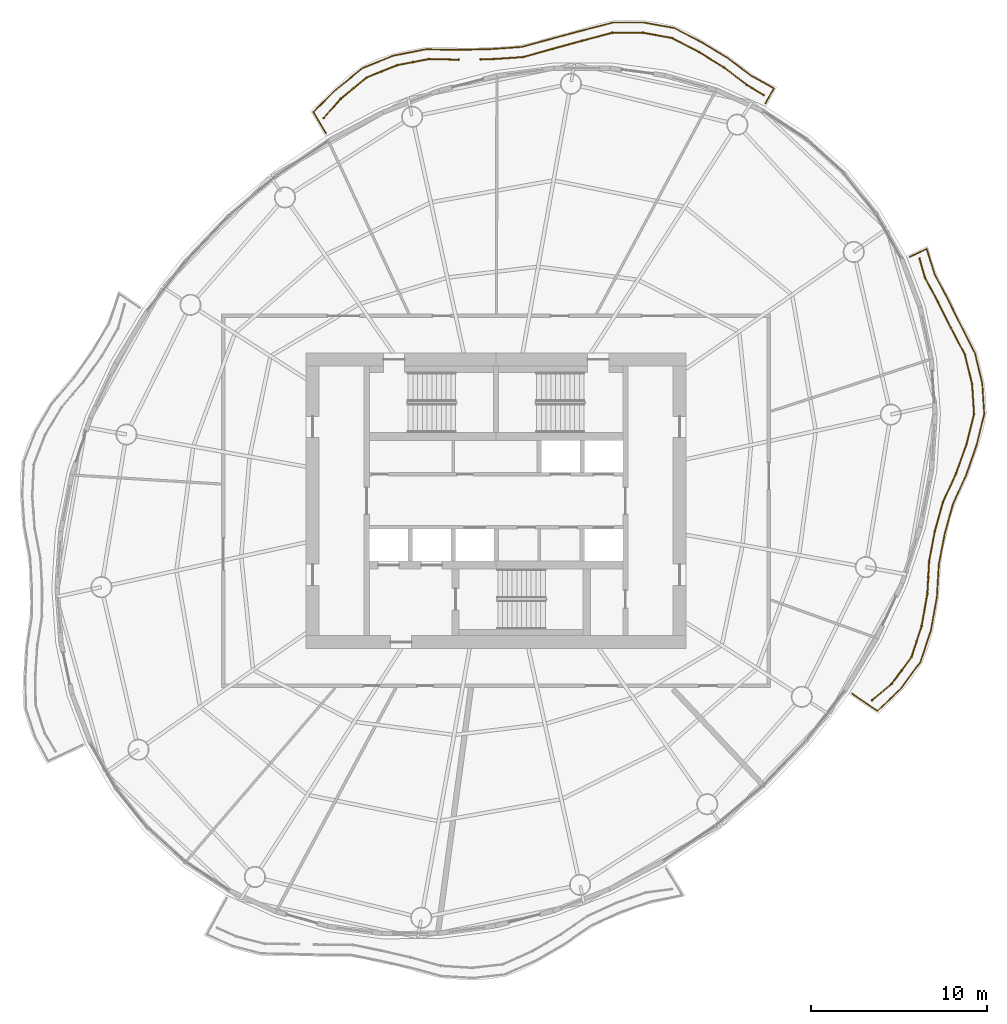
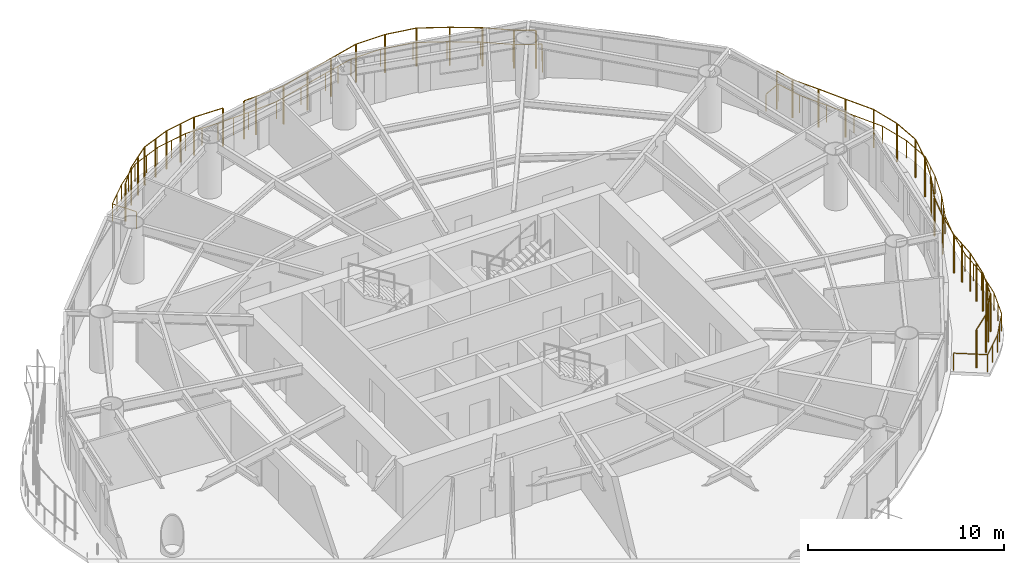
# One storey, part 14 of 14: 5 railings.
"""IFC4 building model written with IfcOpenShell, lengths in metres."""

from ifc_helpers import new_model, si_unit, direction, frame, origin, origin_2d, place, context, subcontext, project, spatial, circle, extrude, material, type_object, element, save


model = new_model("IFC4")

# Units and contexts
model_context = context("Model", 3, precision=1e-05, world=origin(), true_north=direction((0.0, 1.0)))
body_context = subcontext(model_context, "Body", "Model", "MODEL_VIEW")
ifc_project = project(units=[si_unit("LENGTHUNIT", "METRE"), si_unit("AREAUNIT", "SQUARE_METRE"), si_unit("VOLUMEUNIT", "CUBIC_METRE"), si_unit("PLANEANGLEUNIT", "RADIAN"), si_unit("MASSUNIT", "GRAM", prefix="KILO")], contexts=[model_context])

# Site, building, storey
site_placement = place(None, origin())
site = spatial("IfcSite", under=ifc_project, at=site_placement, CompositionType="ELEMENT")
building_placement = place(site_placement, origin())
building = spatial("IfcBuilding", under=site, at=building_placement, Name="Vermilion Reach Broadcast Tower", CompositionType="ELEMENT")
storey_placement = place(building_placement, frame((0.0, 0.0, 206.5)))
storey = spatial("IfcBuildingStorey", under=building, at=storey_placement, Name="L50", CompositionType="ELEMENT", Elevation=206.5)

# Railings
ifc_material_1 = material(Name="Terracotta baguette", Category="masonry")
railing_type_1 = type_object("IfcRailingType", Name="BAGUETTE SCREEN", PredefinedType="USERDEFINED", material=ifc_material_1)
railing_1_placement = place(storey_placement, frame((9.1943359375, 23.058349609375, 0.0)))
element("IfcRailing", 1, at=railing_1_placement, inside=storey, type_object=railing_type_1, Name="Baguette screen L50 group 1 part 1", ObjectType="BAGUETTE SCREEN", PredefinedType="USERDEFINED", context=body_context, shape_type="SweptSolid", body=[
    extrude(circle(Radius=0.030029296875, at=origin_2d()), frame((0.0, 0.0, 2.369873046875), z_axis=(-0.857901093399, 0.513814863492, 0.0), x_axis=(-0.513814863492, -0.857901093399, 0.0)), (0.0, 0.0, 1.0), 1.107666015625),
    extrude(circle(Radius=0.030029296875, at=origin_2d()), frame((-0.9501953125, 0.569091796875, 2.369873046875), z_axis=(-0.794259932649, 0.607578109702, 0.0), x_axis=(-0.607578109702, -0.794259932649, 0.0)), (0.0, 0.0, 1.0), 1.628173828125),
    extrude(circle(Radius=0.030029296875, at=origin_2d()), frame((-2.243408203125, 1.558349609375, 2.369873046875), z_axis=(-0.851753010492, 0.523943517107, 0.0), x_axis=(-0.523943517107, -0.851753010492, 0.0)), (0.0, 0.0, 1.0), 1.681640625),
    extrude(circle(Radius=0.030029296875, at=origin_2d()), frame((-3.67578125, 2.439453125, 2.369873046875), z_axis=(-0.886250779883, 0.463205737397, 0.0), x_axis=(-0.463205737397, -0.886250779883, 0.0)), (0.0, 0.0, 1.0), 1.708251953125),
    extrude(circle(Radius=0.030029296875, at=origin_2d()), frame((-5.189697265625, 3.230712890625, 2.369873046875), z_axis=(-0.983808256824, 0.17922419983, 0.0), x_axis=(-0.17922419983, -0.983808256824, 0.0)), (0.0, 0.0, 1.0), 1.71240234375),
    extrude(circle(Radius=0.030029296875, at=origin_2d()), frame((-6.874267578125, 3.53759765625, 2.369873046875), z_axis=(-0.999997704745, -0.002142546146, 0.0), x_axis=(0.002142546146, -0.999997704745, 0.0)), (0.0, 0.0, 1.0), 1.709228515625),
    extrude(circle(Radius=0.030029296875, at=origin_2d()), frame((-8.58349609375, 3.533935546875, 2.369873046875), z_axis=(-0.966678487793, -0.255993557024, 0.0), x_axis=(0.255993557024, -0.966678487793, 0.0)), (0.0, 0.0, 1.0), 1.7939453125),
    extrude(circle(Radius=0.030029296875, at=origin_2d()), frame((-10.317626953125, 3.07470703125, 2.369873046875), z_axis=(-0.964313444863, -0.264763252844, 0.0), x_axis=(0.264763252844, -0.964313444863, 0.0)), (0.0, 0.0, 1.0), 1.731689453125),
    extrude(circle(Radius=0.030029296875, at=origin_2d()), frame((-11.987548828125, 2.6162109375, 2.369873046875), z_axis=(-0.96324046389, -0.268640668412, 0.0), x_axis=(0.268640668412, -0.96324046389, 0.0)), (0.0, 0.0, 1.0), 1.73046875),
    extrude(circle(Radius=0.030029296875, at=origin_2d()), frame((-13.654296875, 2.1513671875, 2.369873046875), z_axis=(-0.997695599676, -0.067849026434, 0.0), x_axis=(0.067849026434, -0.997695599676, 0.0)), (0.0, 0.0, 1.0), 1.70556640625),
    extrude(circle(Radius=0.030029296875, at=origin_2d()), frame((-15.35595703125, 2.03564453125, 2.369873046875), z_axis=(-0.999780967846, -0.020928839752, 0.0), x_axis=(0.020928839752, -0.999780967846, 0.0)), (0.0, 0.0, 1.0), 0.711669921875),
    extrude(circle(Radius=0.050048828125, at=origin_2d()), origin(), (0.0, 0.0, 1.0), 2.33984375),
    extrude(circle(Radius=0.050048828125, at=origin_2d()), frame((-0.9501953125, 0.569091796875, 0.0)), (0.0, 0.0, 1.0), 2.33984375),
    extrude(circle(Radius=0.050048828125, at=origin_2d()), frame((-2.243408203125, 1.558349609375, 0.0)), (0.0, 0.0, 1.0), 2.33984375),
    extrude(circle(Radius=0.050048828125, at=origin_2d()), frame((-3.67578125, 2.439453125, 0.0)), (0.0, 0.0, 1.0), 2.33984375),
    extrude(circle(Radius=0.050048828125, at=origin_2d()), frame((-5.189697265625, 3.230712890625, 0.0)), (0.0, 0.0, 1.0), 2.33984375),
    extrude(circle(Radius=0.050048828125, at=origin_2d()), frame((-6.874267578125, 3.53759765625, 0.0)), (0.0, 0.0, 1.0), 2.33984375),
    extrude(circle(Radius=0.050048828125, at=origin_2d()), frame((-8.58349609375, 3.533935546875, 0.0)), (0.0, 0.0, 1.0), 2.33984375),
    extrude(circle(Radius=0.050048828125, at=origin_2d()), frame((-10.317626953125, 3.07470703125, 0.0)), (0.0, 0.0, 1.0), 2.33984375),
    extrude(circle(Radius=0.050048828125, at=origin_2d()), frame((-11.987548828125, 2.6162109375, 0.0)), (0.0, 0.0, 1.0), 2.33984375),
    extrude(circle(Radius=0.050048828125, at=origin_2d()), frame((-13.654296875, 2.1513671875, 0.0)), (0.0, 0.0, 1.0), 2.33984375),
    extrude(circle(Radius=0.050048828125, at=origin_2d()), frame((-15.35595703125, 2.03564453125, 0.0)), (0.0, 0.0, 1.0), 2.33984375),
    extrude(circle(Radius=0.050048828125, at=origin_2d()), frame((-16.0673828125, 2.020751953125, 0.0)), (0.0, 0.0, 1.0), 2.33984375),
])
railing_2_placement = place(storey_placement, frame((-8.1318359375, 25.060302734375, 0.0)))
element("IfcRailing", 2, at=railing_2_placement, inside=storey, type_object=railing_type_1, Name="Baguette screen L50 group 1 part 2", ObjectType="BAGUETTE SCREEN", PredefinedType="USERDEFINED", context=body_context, shape_type="SweptSolid", body=[
    extrude(circle(Radius=0.030029296875, at=origin_2d()), frame((0.0, 0.0, 2.369873046875), z_axis=(-0.999769509661, 0.021469223365, 0.0), x_axis=(-0.021469223365, -0.999769509661, 0.0)), (0.0, 0.0, 1.0), 1.68310546875),
    extrude(circle(Radius=0.030029296875, at=origin_2d()), frame((-1.6826171875, 0.0361328125, 2.369873046875), z_axis=(-0.981974579166, -0.189013030955, 0.0), x_axis=(0.189013030955, -0.981974579166, 0.0)), (0.0, 0.0, 1.0), 1.858642578125),
    extrude(circle(Radius=0.030029296875, at=origin_2d()), frame((-3.5078125, -0.315185546875, 2.369873046875), z_axis=(-0.926619533367, -0.376000319659, 0.0), x_axis=(0.376000319659, -0.926619533367, 0.0)), (0.0, 0.0, 1.0), 1.8427734375),
    extrude(circle(Radius=0.030029296875, at=origin_2d()), frame((-5.21533203125, -1.008056640625, 2.369873046875), z_axis=(-0.773797794747, -0.633432690066, 0.0), x_axis=(0.633432690066, -0.773797794747, 0.0)), (0.0, 0.0, 1.0), 1.90966796875),
    extrude(circle(Radius=0.030029296875, at=origin_2d()), frame((-6.693115234375, -2.2177734375, 2.369873046875), z_axis=(-0.660755645241, -0.750601077326, 0.0), x_axis=(0.750601077326, -0.660755645241, 0.0)), (0.0, 0.0, 1.0), 1.464599609375),
    extrude(circle(Radius=0.050048828125, at=origin_2d()), origin(), (0.0, 0.0, 1.0), 2.33984375),
    extrude(circle(Radius=0.050048828125, at=origin_2d()), frame((-1.6826171875, 0.0361328125, 0.0)), (0.0, 0.0, 1.0), 2.33984375),
    extrude(circle(Radius=0.050048828125, at=origin_2d()), frame((-2.59521484375, -0.1396484375, 0.0)), (0.0, 0.0, 1.0), 2.33984375),
    extrude(circle(Radius=0.050048828125, at=origin_2d()), frame((-3.5078125, -0.315185546875, 0.0)), (0.0, 0.0, 1.0), 2.33984375),
    extrude(circle(Radius=0.050048828125, at=origin_2d()), frame((-4.361572265625, -0.66162109375, 0.0)), (0.0, 0.0, 1.0), 2.33984375),
    extrude(circle(Radius=0.050048828125, at=origin_2d()), frame((-5.21533203125, -1.008056640625, 0.0)), (0.0, 0.0, 1.0), 2.33984375),
    extrude(circle(Radius=0.050048828125, at=origin_2d()), frame((-5.9541015625, -1.61279296875, 0.0)), (0.0, 0.0, 1.0), 2.33984375),
    extrude(circle(Radius=0.050048828125, at=origin_2d()), frame((-6.693115234375, -2.2177734375, 0.0)), (0.0, 0.0, 1.0), 2.33984375),
    extrude(circle(Radius=0.050048828125, at=origin_2d()), frame((-7.660888671875, -3.317138671875, 0.0)), (0.0, 0.0, 1.0), 2.33984375),
])
railing_3_placement = place(storey_placement, frame((15.36328125, -11.328857421875, 0.0)))
element("IfcRailing", 3, at=railing_3_placement, inside=storey, type_object=railing_type_1, Name="Baguette screen L50 group 4", ObjectType="BAGUETTE SCREEN", PredefinedType="USERDEFINED", context=body_context, shape_type="SweptSolid", body=[
    extrude(circle(Radius=0.030029296875, at=origin_2d()), frame((0.0, 0.0, 2.369873046875), z_axis=(0.764720693156, 0.64436190255, 0.0), x_axis=(-0.64436190255, 0.764720693156, 0.0)), (0.0, 0.0, 1.0), 1.46240234375),
    extrude(circle(Radius=0.030029296875, at=origin_2d()), frame((1.118408203125, 0.9423828125, 2.369873046875), z_axis=(0.594547898137, 0.804060194775, 0.0), x_axis=(-0.804060194775, 0.594547898137, 0.0)), (0.0, 0.0, 1.0), 1.8818359375),
    extrude(circle(Radius=0.030029296875, at=origin_2d()), frame((2.2373046875, 2.45556640625, 2.369873046875), z_axis=(0.309522537712, 0.950892106734, 0.0), x_axis=(-0.950892106734, 0.309522537712, 0.0)), (0.0, 0.0, 1.0), 1.859130859375),
    extrude(circle(Radius=0.030029296875, at=origin_2d()), frame((2.812744140625, 4.223388671875, 2.369873046875), z_axis=(0.172832779211, 0.98495118175, 0.0), x_axis=(-0.98495118175, 0.172832779211, 0.0)), (0.0, 0.0, 1.0), 1.87158203125),
    extrude(circle(Radius=0.030029296875, at=origin_2d()), frame((3.13623046875, 6.06689453125, 2.369873046875), z_axis=(0.054490995265, 0.998514262009, 0.0), x_axis=(-0.998514262009, 0.054490995265, 0.0)), (0.0, 0.0, 1.0), 1.8369140625),
    extrude(circle(Radius=0.030029296875, at=origin_2d()), frame((3.236328125, 7.901123046875, 2.369873046875), z_axis=(0.186983863664, 0.982362985219, 0.0), x_axis=(-0.982362985219, 0.186983863664, 0.0)), (0.0, 0.0, 1.0), 1.74951171875),
    extrude(circle(Radius=0.030029296875, at=origin_2d()), frame((3.5634765625, 9.619873046875, 2.369873046875), z_axis=(0.269161323936, 0.963095105219, 0.0), x_axis=(-0.963095105219, 0.269161323936, 0.0)), (0.0, 0.0, 1.0), 1.70068359375),
    extrude(circle(Radius=0.030029296875, at=origin_2d()), frame((4.021240234375, 11.2578125, 2.369873046875), z_axis=(0.417946297017, 0.908471734734, 0.0), x_axis=(-0.908471734734, 0.417946297017, 0.0)), (0.0, 0.0, 1.0), 1.78271484375),
    extrude(circle(Radius=0.030029296875, at=origin_2d()), frame((4.766357421875, 12.87744140625, 2.369873046875), z_axis=(0.334178933814, 0.942509649921, 0.0), x_axis=(-0.942509649921, 0.334178933814, 0.0)), (0.0, 0.0, 1.0), 1.757080078125),
    extrude(circle(Radius=0.030029296875, at=origin_2d()), frame((5.353515625, 14.533447265625, 2.369873046875), z_axis=(0.244054152685, 0.969761605013, 0.0), x_axis=(-0.969761605013, 0.244054152685, 0.0)), (0.0, 0.0, 1.0), 1.777587890625),
    extrude(circle(Radius=0.030029296875, at=origin_2d()), frame((5.787353515625, 16.25732421875, 2.369873046875), z_axis=(-0.065076041291, 0.997880307878, 0.0), x_axis=(-0.997880307878, -0.065076041291, 0.0)), (0.0, 0.0, 1.0), 1.70703125),
    extrude(circle(Radius=0.030029296875, at=origin_2d()), frame((5.67626953125, 17.960693359375, 2.369873046875), z_axis=(-0.237718260799, 0.971334148727, 0.0), x_axis=(-0.971334148727, -0.237718260799, 0.0)), (0.0, 0.0, 1.0), 1.71826171875),
    extrude(circle(Radius=0.030029296875, at=origin_2d()), frame((5.267822265625, 19.629638671875, 2.369873046875), z_axis=(-0.460595416555, 0.887610197242, 0.0), x_axis=(-0.887610197242, -0.460595416555, 0.0)), (0.0, 0.0, 1.0), 1.7158203125),
    extrude(circle(Radius=0.030029296875, at=origin_2d()), frame((4.4775390625, 21.152587890625, 2.369873046875), z_axis=(-0.4492855642, 0.893388203303, 0.0), x_axis=(-0.893388203303, -0.4492855642, 0.0)), (0.0, 0.0, 1.0), 1.648681640625),
    extrude(circle(Radius=0.030029296875, at=origin_2d()), frame((3.73681640625, 22.62548828125, 2.369873046875), z_axis=(-0.470041712001, 0.882644202937, 0.0), x_axis=(-0.882644202937, -0.470041712001, 0.0)), (0.0, 0.0, 1.0), 1.576904296875),
    extrude(circle(Radius=0.030029296875, at=origin_2d()), frame((2.99560546875, 24.017333984375, 2.369873046875), z_axis=(-0.274808166144, 0.961499075309, 0.0), x_axis=(-0.961499075309, -0.274808166144, 0.0)), (0.0, 0.0, 1.0), 1.111328125),
    extrude(circle(Radius=0.050048828125, at=origin_2d()), origin(), (0.0, 0.0, 1.0), 2.33984375),
    extrude(circle(Radius=0.050048828125, at=origin_2d()), frame((1.118408203125, 0.9423828125, 0.0)), (0.0, 0.0, 1.0), 2.33984375),
    extrude(circle(Radius=0.050048828125, at=origin_2d()), frame((1.677734375, 1.698974609375, 0.0)), (0.0, 0.0, 1.0), 2.33984375),
    extrude(circle(Radius=0.050048828125, at=origin_2d()), frame((2.2373046875, 2.45556640625, 0.0)), (0.0, 0.0, 1.0), 2.33984375),
    extrude(circle(Radius=0.050048828125, at=origin_2d()), frame((2.52490234375, 3.33935546875, 0.0)), (0.0, 0.0, 1.0), 2.33984375),
    extrude(circle(Radius=0.050048828125, at=origin_2d()), frame((2.812744140625, 4.223388671875, 0.0)), (0.0, 0.0, 1.0), 2.33984375),
    extrude(circle(Radius=0.050048828125, at=origin_2d()), frame((2.974609375, 5.14501953125, 0.0)), (0.0, 0.0, 1.0), 2.33984375),
    extrude(circle(Radius=0.050048828125, at=origin_2d()), frame((3.13623046875, 6.06689453125, 0.0)), (0.0, 0.0, 1.0), 2.33984375),
    extrude(circle(Radius=0.050048828125, at=origin_2d()), frame((3.186279296875, 6.98388671875, 0.0)), (0.0, 0.0, 1.0), 2.33984375),
    extrude(circle(Radius=0.050048828125, at=origin_2d()), frame((3.236328125, 7.901123046875, 0.0)), (0.0, 0.0, 1.0), 2.33984375),
    extrude(circle(Radius=0.050048828125, at=origin_2d()), frame((3.5634765625, 9.619873046875, 0.0)), (0.0, 0.0, 1.0), 2.33984375),
    extrude(circle(Radius=0.050048828125, at=origin_2d()), frame((4.021240234375, 11.2578125, 0.0)), (0.0, 0.0, 1.0), 2.33984375),
    extrude(circle(Radius=0.050048828125, at=origin_2d()), frame((4.766357421875, 12.87744140625, 0.0)), (0.0, 0.0, 1.0), 2.33984375),
    extrude(circle(Radius=0.050048828125, at=origin_2d()), frame((5.353515625, 14.533447265625, 0.0)), (0.0, 0.0, 1.0), 2.33984375),
    extrude(circle(Radius=0.050048828125, at=origin_2d()), frame((5.787353515625, 16.25732421875, 0.0)), (0.0, 0.0, 1.0), 2.33984375),
    extrude(circle(Radius=0.050048828125, at=origin_2d()), frame((5.67626953125, 17.960693359375, 0.0)), (0.0, 0.0, 1.0), 2.33984375),
    extrude(circle(Radius=0.050048828125, at=origin_2d()), frame((5.267822265625, 19.629638671875, 0.0)), (0.0, 0.0, 1.0), 2.33984375),
    extrude(circle(Radius=0.050048828125, at=origin_2d()), frame((4.4775390625, 21.152587890625, 0.0)), (0.0, 0.0, 1.0), 2.33984375),
    extrude(circle(Radius=0.050048828125, at=origin_2d()), frame((3.73681640625, 22.62548828125, 0.0)), (0.0, 0.0, 1.0), 2.33984375),
    extrude(circle(Radius=0.050048828125, at=origin_2d()), frame((2.99560546875, 24.017333984375, 0.0)), (0.0, 0.0, 1.0), 2.33984375),
    extrude(circle(Radius=0.050048828125, at=origin_2d()), frame((2.690185546875, 25.0859375, 0.0)), (0.0, 0.0, 1.0), 2.33984375),
])
ifc_material_2 = material(Name="Stainless steel 316 balustrade", Category="steel")
railing_type_2 = type_object("IfcRailingType", Name="Balcony guard 1100", PredefinedType="BALUSTRADE", material=ifc_material_2)
railing_4_placement = place(storey_placement, frame((9.30078125, 22.568115234375, 0.0)))
element("IfcRailing", 4, at=railing_4_placement, inside=storey, type_object=railing_type_2, Name="Balcony guard L50 group 1", PredefinedType="BALUSTRADE", context=body_context, shape_type="SweptSolid", body=[
    extrude(circle(Radius=0.02490234375, at=origin_2d()), frame((0.0, 0.0, 1.0751953125), z_axis=(0.480728028356, 0.876869752445, 0.0), x_axis=(-0.876869752445, 0.480728028356, 0.0)), (0.0, 0.0, 1.0), 0.984130859375),
    extrude(circle(Radius=0.02490234375, at=origin_2d()), frame((0.47314453125, 0.863037109375, 1.0751953125), z_axis=(-0.872002305249, 0.489501766739, 0.0), x_axis=(-0.489501766739, -0.872002305249, 0.0)), (0.0, 0.0, 1.0), 1.480712890625),
    extrude(circle(Radius=0.02490234375, at=origin_2d()), frame((-0.818115234375, 1.587890625, 1.0751953125), z_axis=(-0.798365517146, 0.602173148714, 0.0), x_axis=(-0.602173148714, -0.798365517146, 0.0)), (0.0, 0.0, 1.0), 1.669921875),
    extrude(circle(Radius=0.02490234375, at=origin_2d()), frame((-2.1513671875, 2.593505859375, 1.0751953125), z_axis=(-0.854857078363, 0.518863542343, 0.0), x_axis=(-0.518863542343, -0.854857078363, 0.0)), (0.0, 0.0, 1.0), 1.7236328125),
    extrude(circle(Radius=0.02490234375, at=origin_2d()), frame((-3.624755859375, 3.48779296875, 1.0751953125), z_axis=(-0.888800501196, 0.458294303995, 0.0), x_axis=(-0.458294303995, -0.888800501196, 0.0)), (0.0, 0.0, 1.0), 1.748291015625),
    extrude(circle(Radius=0.02490234375, at=origin_2d()), frame((-5.1787109375, 4.2890625, 1.0751953125), z_axis=(-0.983867682504, 0.178897689545, 0.0), x_axis=(-0.178897689545, -0.983867682504, 0.0)), (0.0, 0.0, 1.0), 1.753662109375),
    extrude(circle(Radius=0.02490234375, at=origin_2d()), frame((-6.904052734375, 4.602783203125, 1.0751953125), z_axis=(-0.999999990247, 0.000139664803, 0.0), x_axis=(-0.000139664803, -0.999999990247, 0.0)), (0.0, 0.0, 1.0), 1.748046875),
    extrude(circle(Radius=0.02490234375, at=origin_2d()), frame((-8.652099609375, 4.60302734375, 1.0751953125), z_axis=(-0.968231533113, -0.250055390435, 0.0), x_axis=(0.250055390435, -0.968231533113, 0.0)), (0.0, 0.0, 1.0), 1.83154296875),
    extrude(circle(Radius=0.02490234375, at=origin_2d()), frame((-10.425537109375, 4.14501953125, 1.0751953125), z_axis=(-0.965597088684, -0.260042808637, 0.0), x_axis=(0.260042808637, -0.965597088684, 0.0)), (0.0, 0.0, 1.0), 1.767822265625),
    extrude(circle(Radius=0.02490234375, at=origin_2d()), frame((-12.132568359375, 3.685302734375, 1.0751953125), z_axis=(-0.964178013712, -0.265256023259, 0.0), x_axis=(0.265256023259, -0.964178013712, 0.0)), (0.0, 0.0, 1.0), 1.76708984375),
    extrude(circle(Radius=0.02490234375, at=origin_2d()), frame((-13.83642578125, 3.216552734375, 1.0751953125), z_axis=(-0.997568530373, -0.069692375541, 0.0), x_axis=(0.069692375541, -0.997568530373, 0.0)), (0.0, 0.0, 1.0), 1.740966796875),
    extrude(circle(Radius=0.02490234375, at=origin_2d()), frame((-15.5732421875, 3.09521484375, 1.0751953125), z_axis=(-0.999690231974, -0.024888553493, 0.0), x_axis=(0.024888553493, -0.999690231974, 0.0)), (0.0, 0.0, 1.0), 1.824462890625),
    extrude(circle(Radius=0.02490234375, at=origin_2d()), frame((-17.397216796875, 3.0498046875, 1.0751953125), z_axis=(-0.999870454386, 0.016095789671, 0.0), x_axis=(-0.016095789671, -0.999870454386, 0.0)), (0.0, 0.0, 1.0), 1.89599609375),
    extrude(circle(Radius=0.02490234375, at=origin_2d()), frame((-19.29296875, 3.080322265625, 1.0751953125), z_axis=(-0.981473434393, -0.191598271339, 0.0), x_axis=(0.191598271339, -0.981473434393, 0.0)), (0.0, 0.0, 1.0), 1.892333984375),
    extrude(circle(Radius=0.02490234375, at=origin_2d()), frame((-21.150146484375, 2.7177734375, 1.0751953125), z_axis=(-0.926524729062, -0.376233871995, 0.0), x_axis=(0.376233871995, -0.926524729062, 0.0)), (0.0, 0.0, 1.0), 1.875244140625),
    extrude(circle(Radius=0.02490234375, at=origin_2d()), frame((-22.8876953125, 2.01220703125, 1.0751953125), z_axis=(-0.776210147333, -0.630474271622, 0.0), x_axis=(0.630474271622, -0.776210147333, 0.0)), (0.0, 0.0, 1.0), 1.941650390625),
    extrude(circle(Radius=0.02490234375, at=origin_2d()), frame((-24.394775390625, 0.7880859375, 1.0751953125), z_axis=(-0.712622915924, -0.701547275456, 0.0), x_axis=(0.701547275456, -0.712622915924, 0.0)), (0.0, 0.0, 1.0), 1.8076171875),
    extrude(circle(Radius=0.02490234375, at=origin_2d()), frame((-25.682861328125, -0.47998046875, 1.0751953125), z_axis=(0.512145798321, -0.858898527919, 0.0), x_axis=(0.858898527919, 0.512145798321, 0.0)), (0.0, 0.0, 1.0), 1.40673828125),
    extrude(circle(Radius=0.02490234375, at=origin_2d()), origin(), (0.0, 0.0, 1.0), 1.050048828125),
    extrude(circle(Radius=0.02490234375, at=origin_2d()), frame((0.47314453125, 0.863037109375, 0.0)), (0.0, 0.0, 1.0), 1.050048828125),
    extrude(circle(Radius=0.02490234375, at=origin_2d()), frame((-0.818115234375, 1.587890625, 0.0)), (0.0, 0.0, 1.0), 1.050048828125),
    extrude(circle(Radius=0.02490234375, at=origin_2d()), frame((-2.1513671875, 2.593505859375, 0.0)), (0.0, 0.0, 1.0), 1.050048828125),
    extrude(circle(Radius=0.02490234375, at=origin_2d()), frame((-3.624755859375, 3.48779296875, 0.0)), (0.0, 0.0, 1.0), 1.050048828125),
    extrude(circle(Radius=0.02490234375, at=origin_2d()), frame((-5.1787109375, 4.2890625, 0.0)), (0.0, 0.0, 1.0), 1.050048828125),
    extrude(circle(Radius=0.02490234375, at=origin_2d()), frame((-6.904052734375, 4.602783203125, 0.0)), (0.0, 0.0, 1.0), 1.050048828125),
    extrude(circle(Radius=0.02490234375, at=origin_2d()), frame((-8.652099609375, 4.60302734375, 0.0)), (0.0, 0.0, 1.0), 1.050048828125),
    extrude(circle(Radius=0.02490234375, at=origin_2d()), frame((-9.538818359375, 4.3740234375, 0.0)), (0.0, 0.0, 1.0), 1.050048828125),
    extrude(circle(Radius=0.02490234375, at=origin_2d()), frame((-10.425537109375, 4.14501953125, 0.0)), (0.0, 0.0, 1.0), 1.050048828125),
    extrude(circle(Radius=0.02490234375, at=origin_2d()), frame((-12.132568359375, 3.685302734375, 0.0)), (0.0, 0.0, 1.0), 1.050048828125),
    extrude(circle(Radius=0.02490234375, at=origin_2d()), frame((-13.83642578125, 3.216552734375, 0.0)), (0.0, 0.0, 1.0), 1.050048828125),
    extrude(circle(Radius=0.02490234375, at=origin_2d()), frame((-15.5732421875, 3.09521484375, 0.0)), (0.0, 0.0, 1.0), 1.050048828125),
    extrude(circle(Radius=0.02490234375, at=origin_2d()), frame((-16.4853515625, 3.072509765625, 0.0)), (0.0, 0.0, 1.0), 1.050048828125),
    extrude(circle(Radius=0.02490234375, at=origin_2d()), frame((-17.397216796875, 3.0498046875, 0.0)), (0.0, 0.0, 1.0), 1.050048828125),
    extrude(circle(Radius=0.02490234375, at=origin_2d()), frame((-18.34521484375, 3.06494140625, 0.0)), (0.0, 0.0, 1.0), 1.050048828125),
    extrude(circle(Radius=0.02490234375, at=origin_2d()), frame((-19.29296875, 3.080322265625, 0.0)), (0.0, 0.0, 1.0), 1.050048828125),
    extrude(circle(Radius=0.02490234375, at=origin_2d()), frame((-20.2216796875, 2.89892578125, 0.0)), (0.0, 0.0, 1.0), 1.050048828125),
    extrude(circle(Radius=0.02490234375, at=origin_2d()), frame((-21.150146484375, 2.7177734375, 0.0)), (0.0, 0.0, 1.0), 1.050048828125),
    extrude(circle(Radius=0.02490234375, at=origin_2d()), frame((-22.01904296875, 2.364990234375, 0.0)), (0.0, 0.0, 1.0), 1.050048828125),
    extrude(circle(Radius=0.02490234375, at=origin_2d()), frame((-22.8876953125, 2.01220703125, 0.0)), (0.0, 0.0, 1.0), 1.050048828125),
    extrude(circle(Radius=0.02490234375, at=origin_2d()), frame((-23.64111328125, 1.400146484375, 0.0)), (0.0, 0.0, 1.0), 1.050048828125),
    extrude(circle(Radius=0.02490234375, at=origin_2d()), frame((-24.394775390625, 0.7880859375, 0.0)), (0.0, 0.0, 1.0), 1.050048828125),
    extrude(circle(Radius=0.02490234375, at=origin_2d()), frame((-25.038818359375, 0.154052734375, 0.0)), (0.0, 0.0, 1.0), 1.050048828125),
    extrude(circle(Radius=0.02490234375, at=origin_2d()), frame((-25.682861328125, -0.47998046875, 0.0)), (0.0, 0.0, 1.0), 1.050048828125),
    extrude(circle(Radius=0.02490234375, at=origin_2d()), frame((-24.96240234375, -1.688232421875, 0.0)), (0.0, 0.0, 1.0), 1.050048828125),
])
railing_5_placement = place(storey_placement, frame((14.23193359375, -10.95361328125, 0.0)))
element("IfcRailing", 5, at=railing_5_placement, inside=storey, type_object=railing_type_2, Name="Balcony guard L50 group 4", PredefinedType="BALUSTRADE", context=body_context, shape_type="SweptSolid", body=[
    extrude(circle(Radius=0.02490234375, at=origin_2d()), frame((0.0, 0.0, 1.0751953125), z_axis=(0.825114889378, -0.56496497177, 0.0), x_axis=(0.56496497177, 0.825114889378, 0.0)), (0.0, 0.0, 1.0), 1.74365234375),
    extrude(circle(Radius=0.02490234375, at=origin_2d()), frame((1.438720703125, -0.985107421875, 1.0751953125), z_axis=(0.722322351572, 0.691556520046, 0.0), x_axis=(-0.691556520046, 0.722322351572, 0.0)), (0.0, 0.0, 1.0), 1.809326171875),
    extrude(circle(Radius=0.02490234375, at=origin_2d()), frame((2.74560546875, 0.26611328125, 1.0751953125), z_axis=(0.592855335323, 0.805308978827, 0.0), x_axis=(-0.805308978827, 0.592855335323, 0.0)), (0.0, 0.0, 1.0), 1.91455078125),
    extrude(circle(Radius=0.02490234375, at=origin_2d()), frame((3.880615234375, 1.807861328125, 1.0751953125), z_axis=(0.312003487955, 0.950080956289, 0.0), x_axis=(-0.950080956289, 0.312003487955, 0.0)), (0.0, 0.0, 1.0), 1.891357421875),
    extrude(circle(Radius=0.02490234375, at=origin_2d()), frame((4.470703125, 3.604736328125, 1.0751953125), z_axis=(0.176730917174, 0.984259205146, 0.0), x_axis=(-0.984259205146, 0.176730917174, 0.0)), (0.0, 0.0, 1.0), 1.905029296875),
    extrude(circle(Radius=0.02490234375, at=origin_2d()), frame((4.807373046875, 5.479736328125, 1.0751953125), z_axis=(0.059816811733, 0.998209371342, 0.0), x_axis=(-0.998209371342, 0.059816811733, 0.0)), (0.0, 0.0, 1.0), 1.869384765625),
    extrude(circle(Radius=0.02490234375, at=origin_2d()), frame((4.919189453125, 7.345703125, 1.0751953125), z_axis=(0.188771289791, 0.98202107928, 0.0), x_axis=(-0.98202107928, 0.188771289791, 0.0)), (0.0, 0.0, 1.0), 1.78466796875),
    extrude(circle(Radius=0.02490234375, at=origin_2d()), frame((5.256103515625, 9.098388671875, 1.0751953125), z_axis=(0.268158753808, 0.963374736412, 0.0), x_axis=(-0.963374736412, 0.268158753808, 0.0)), (0.0, 0.0, 1.0), 1.736083984375),
    extrude(circle(Radius=0.02490234375, at=origin_2d()), frame((5.7216796875, 10.77099609375, 1.0751953125), z_axis=(0.413013980271, 0.910724685128, 0.0), x_axis=(-0.910724685128, 0.413013980271, 0.0)), (0.0, 0.0, 1.0), 1.81884765625),
    extrude(circle(Radius=0.02490234375, at=origin_2d()), frame((6.472900390625, 12.427490234375, 1.0751953125), z_axis=(0.329391918425, 0.944193287456, 0.0), x_axis=(-0.944193287456, 0.329391918425, 0.0)), (0.0, 0.0, 1.0), 1.79296875),
    extrude(circle(Radius=0.02490234375, at=origin_2d()), frame((7.0634765625, 14.120361328125, 1.0751953125), z_axis=(0.239561125408, 0.97088128378, 0.0), x_axis=(-0.97088128378, 0.239561125408, 0.0)), (0.0, 0.0, 1.0), 1.816162109375),
    extrude(circle(Radius=0.02490234375, at=origin_2d()), frame((7.49853515625, 15.883544921875, 1.0751953125), z_axis=(-0.064458637384, 0.997920379623, 0.0), x_axis=(-0.997920379623, -0.064458637384, 0.0)), (0.0, 0.0, 1.0), 1.74609375),
    extrude(circle(Radius=0.02490234375, at=origin_2d()), frame((7.385986328125, 17.6259765625, 1.0751953125), z_axis=(-0.234559128209, 0.972101854424, 0.0), x_axis=(-0.972101854424, -0.234559128209, 0.0)), (0.0, 0.0, 1.0), 1.759033203125),
    extrude(circle(Radius=0.02490234375, at=origin_2d()), frame((6.973388671875, 19.3359375, 1.0751953125), z_axis=(-0.45443205034, 0.890781405073, 0.0), x_axis=(-0.890781405073, -0.45443205034, 0.0)), (0.0, 0.0, 1.0), 1.755126953125),
    extrude(circle(Radius=0.02490234375, at=origin_2d()), frame((6.17578125, 20.8994140625, 1.0751953125), z_axis=(-0.444265762268, 0.895895045458, 0.0), x_axis=(-0.895895045458, -0.444265762268, 0.0)), (0.0, 0.0, 1.0), 1.69091796875),
    extrude(circle(Radius=0.02490234375, at=origin_2d()), frame((5.424560546875, 22.414306640625, 1.0751953125), z_axis=(-0.46622472911, 0.884666322388, 0.0), x_axis=(-0.884666322388, -0.46622472911, 0.0)), (0.0, 0.0, 1.0), 1.61962890625),
    extrude(circle(Radius=0.02490234375, at=origin_2d()), frame((4.66943359375, 23.84716796875, 1.0751953125), z_axis=(-0.29593377407, 0.955208459638, 0.0), x_axis=(-0.955208459638, -0.29593377407, 0.0)), (0.0, 0.0, 1.0), 1.48486328125),
    extrude(circle(Radius=0.02490234375, at=origin_2d()), frame((4.22998046875, 25.265625, 1.0751953125), z_axis=(-0.90536115241, -0.424642418638, 0.0), x_axis=(0.424642418638, -0.90536115241, 0.0)), (0.0, 0.0, 1.0), 1.079833984375),
    extrude(circle(Radius=0.02490234375, at=origin_2d()), origin(), (0.0, 0.0, 1.0), 1.050048828125),
    extrude(circle(Radius=0.02490234375, at=origin_2d()), frame((1.438720703125, -0.985107421875, 0.0)), (0.0, 0.0, 1.0), 1.050048828125),
    extrude(circle(Radius=0.02490234375, at=origin_2d()), frame((2.09228515625, -0.359375, 0.0)), (0.0, 0.0, 1.0), 1.050048828125),
    extrude(circle(Radius=0.02490234375, at=origin_2d()), frame((2.74560546875, 0.26611328125, 0.0)), (0.0, 0.0, 1.0), 1.050048828125),
    extrude(circle(Radius=0.02490234375, at=origin_2d()), frame((3.31298828125, 1.037109375, 0.0)), (0.0, 0.0, 1.0), 1.050048828125),
    extrude(circle(Radius=0.02490234375, at=origin_2d()), frame((3.880615234375, 1.807861328125, 0.0)), (0.0, 0.0, 1.0), 1.050048828125),
    extrude(circle(Radius=0.02490234375, at=origin_2d()), frame((4.17578125, 2.706298828125, 0.0)), (0.0, 0.0, 1.0), 1.050048828125),
    extrude(circle(Radius=0.02490234375, at=origin_2d()), frame((4.470703125, 3.604736328125, 0.0)), (0.0, 0.0, 1.0), 1.050048828125),
    extrude(circle(Radius=0.02490234375, at=origin_2d()), frame((4.63916015625, 4.542236328125, 0.0)), (0.0, 0.0, 1.0), 1.050048828125),
    extrude(circle(Radius=0.02490234375, at=origin_2d()), frame((4.807373046875, 5.479736328125, 0.0)), (0.0, 0.0, 1.0), 1.050048828125),
    extrude(circle(Radius=0.02490234375, at=origin_2d()), frame((4.86328125, 6.41259765625, 0.0)), (0.0, 0.0, 1.0), 1.050048828125),
    extrude(circle(Radius=0.02490234375, at=origin_2d()), frame((4.919189453125, 7.345703125, 0.0)), (0.0, 0.0, 1.0), 1.050048828125),
    extrude(circle(Radius=0.02490234375, at=origin_2d()), frame((5.256103515625, 9.098388671875, 0.0)), (0.0, 0.0, 1.0), 1.050048828125),
    extrude(circle(Radius=0.02490234375, at=origin_2d()), frame((5.7216796875, 10.77099609375, 0.0)), (0.0, 0.0, 1.0), 1.050048828125),
    extrude(circle(Radius=0.02490234375, at=origin_2d()), frame((6.09716796875, 11.59912109375, 0.0)), (0.0, 0.0, 1.0), 1.050048828125),
    extrude(circle(Radius=0.02490234375, at=origin_2d()), frame((6.472900390625, 12.427490234375, 0.0)), (0.0, 0.0, 1.0), 1.050048828125),
    extrude(circle(Radius=0.02490234375, at=origin_2d()), frame((7.0634765625, 14.120361328125, 0.0)), (0.0, 0.0, 1.0), 1.050048828125),
    extrude(circle(Radius=0.02490234375, at=origin_2d()), frame((7.281005859375, 15.001953125, 0.0)), (0.0, 0.0, 1.0), 1.050048828125),
    extrude(circle(Radius=0.02490234375, at=origin_2d()), frame((7.49853515625, 15.883544921875, 0.0)), (0.0, 0.0, 1.0), 1.050048828125),
    extrude(circle(Radius=0.02490234375, at=origin_2d()), frame((7.385986328125, 17.6259765625, 0.0)), (0.0, 0.0, 1.0), 1.050048828125),
    extrude(circle(Radius=0.02490234375, at=origin_2d()), frame((6.973388671875, 19.3359375, 0.0)), (0.0, 0.0, 1.0), 1.050048828125),
    extrude(circle(Radius=0.02490234375, at=origin_2d()), frame((6.17578125, 20.8994140625, 0.0)), (0.0, 0.0, 1.0), 1.050048828125),
    extrude(circle(Radius=0.02490234375, at=origin_2d()), frame((5.424560546875, 22.414306640625, 0.0)), (0.0, 0.0, 1.0), 1.050048828125),
    extrude(circle(Radius=0.02490234375, at=origin_2d()), frame((4.66943359375, 23.84716796875, 0.0)), (0.0, 0.0, 1.0), 1.050048828125),
    extrude(circle(Radius=0.02490234375, at=origin_2d()), frame((4.22998046875, 25.265625, 0.0)), (0.0, 0.0, 1.0), 1.050048828125),
    extrude(circle(Radius=0.02490234375, at=origin_2d()), frame((3.25244140625, 24.80712890625, 0.0)), (0.0, 0.0, 1.0), 1.050048828125),
])

save(model, "model.ifc")
